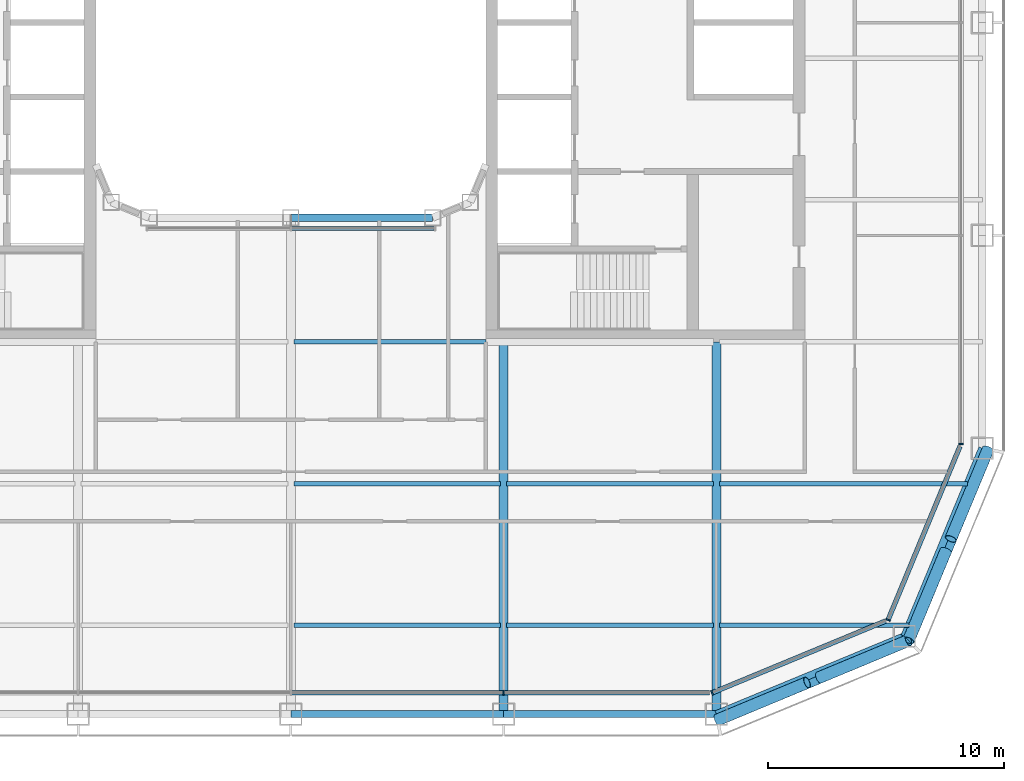
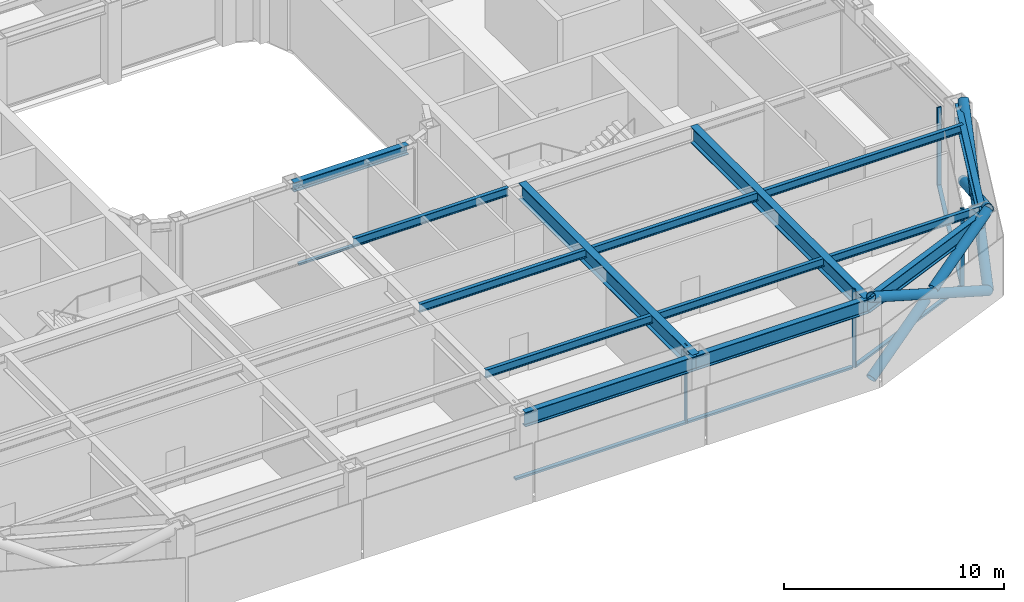
# One storey, part 4 of 21: 15 members, 14 beams, 5 elements without a shape of their own.
"""IFC4 building model written with IfcOpenShell, lengths in metres."""

from ifc_helpers import new_model, si_unit, direction, frame, origin, origin_2d, place, context, subcontext, project, spatial, rectangle, hollow_circle, i_section, extrude, material, layer, layer_set, material_profile, profile_set, type_object, element, aggregate, save


model = new_model("IFC4")

# Units and contexts
model_context = context("Model", 3, precision=1e-05, world=origin(), true_north=direction((0.0, 1.0)))
body_context = subcontext(model_context, "Body", "Model", "MODEL_VIEW")
ifc_project = project(units=[si_unit("LENGTHUNIT", "METRE"), si_unit("AREAUNIT", "SQUARE_METRE"), si_unit("VOLUMEUNIT", "CUBIC_METRE"), si_unit("PLANEANGLEUNIT", "RADIAN"), si_unit("MASSUNIT", "GRAM", prefix="KILO")], contexts=[model_context])

# Site, building, storey
site_placement = place(None, origin())
site = spatial("IfcSite", under=ifc_project, at=site_placement, CompositionType="ELEMENT")
building_placement = place(site_placement, origin())
building = spatial("IfcBuilding", under=site, at=building_placement, Name="Siwar Civic Tower", CompositionType="ELEMENT")
storey_placement = place(building_placement, frame((0.0, 0.0, 140.699951171875)))
storey = spatial("IfcBuildingStorey", under=building, at=storey_placement, Name="L30", CompositionType="ELEMENT", Elevation=140.699951171875)

# Curtain wall, member
ifc_material_1 = material(Name="Aluminium and glass", Category="aluminium")
ifc_layer_1 = layer(ifc_material_1, 0.199951171875)
ifc_layer_set_1 = layer_set([ifc_layer_1], Name="Aluminium and glass")
curtain_wall_type_1 = type_object("IfcCurtainWallType", Name="ENV-CW-B", PredefinedType="NOTDEFINED", material=ifc_layer_set_1)
curtain_wall_1_placement = place(storey_placement, origin())
curtain_wall_1 = element("IfcCurtainWall", 1, at=curtain_wall_1_placement, inside=storey, type_object=curtain_wall_type_1, Name="Curtain wall B S", PredefinedType="NOTDEFINED")
ifc_material_2 = material(Name="Aluminium 6063-T6", Category="aluminium")
ifc_material_profile_1 = material_profile(ifc_material_2, rectangle(XDim=0.199951171875, YDim=0.06494140625, at=origin_2d()), Name="AL 200x65")
ifc_profile_set_1 = profile_set([ifc_material_profile_1], Name="Aluminium 6063-T6")
member_type_1 = type_object("IfcMemberType", Name="ENV-MULLION-B", PredefinedType="MULLION", material=ifc_profile_set_1)
member_1_placement = place(storey_placement, frame((9.0, -28.35009765625, 0.0), z_axis=(0.0, 0.0, 1.0), x_axis=(0.0, 1.0, 0.0)))
member_1 = element("IfcMember", 2, at=member_1_placement, type_object=member_type_1, Name="Mullion B S 4", PredefinedType="MULLION", context=body_context, shape_type="SweptSolid", body=[
    extrude(rectangle(XDim=0.199951171875, YDim=0.06494140625, at=origin_2d()), origin(), (0.0, 0.0, 1.0), 4.35009765625),
])

ifc_material_3 = material(Name="Aluminium clad insulated panel", Category="aluminium")
ifc_layer_2 = layer(ifc_material_3, 0.199951171875)
ifc_layer_set_2 = layer_set([ifc_layer_2], Name="Aluminium clad insulated panel")
curtain_wall_type_2 = type_object("IfcCurtainWallType", Name="ENV-CW-BX", PredefinedType="NOTDEFINED", material=ifc_layer_set_2)
curtain_wall_2_placement = place(storey_placement, origin())
curtain_wall_2 = element("IfcCurtainWall", 3, at=curtain_wall_2_placement, inside=storey, type_object=curtain_wall_type_2, Name="Curtain wall B SE1", PredefinedType="NOTDEFINED")
member_2_placement = place(storey_placement, frame((17.821044921875, -28.35009765625, 0.0), z_axis=(0.0, 0.0, 1.0), x_axis=(-0.382683432365, 0.923879532511, 0.0)))
member_2 = element("IfcMember", 4, at=member_2_placement, type_object=member_type_1, Name="Mullion B SE1 1", PredefinedType="MULLION", context=body_context, shape_type="SweptSolid", body=[
    extrude(rectangle(XDim=0.199951171875, YDim=0.06494140625, at=origin_2d()), origin(), (0.0, 0.0, 1.0), 4.35009765625),
])

curtain_wall_3_placement = place(storey_placement, origin())
curtain_wall_3 = element("IfcCurtainWall", 5, at=curtain_wall_3_placement, inside=storey, type_object=curtain_wall_type_2, Name="Curtain wall B SE2", PredefinedType="NOTDEFINED")
member_3_placement = place(storey_placement, frame((25.26611328125, -25.26611328125, 0.0), z_axis=(0.0, 0.0, 1.0), x_axis=(-0.923879532511, 0.382683432365, 0.0)))
member_3 = element("IfcMember", 6, at=member_3_placement, type_object=member_type_1, Name="Mullion B SE2 1", PredefinedType="MULLION", context=body_context, shape_type="SweptSolid", body=[
    extrude(rectangle(XDim=0.199951171875, YDim=0.06494140625, at=origin_2d()), origin(), (0.0, 0.0, 1.0), 4.35009765625),
])

curtain_wall_4_placement = place(storey_placement, origin())
curtain_wall_4 = element("IfcCurtainWall", 7, at=curtain_wall_4_placement, inside=storey, type_object=curtain_wall_type_1, Name="Curtain wall B E", PredefinedType="NOTDEFINED")
member_4_placement = place(storey_placement, frame((28.35009765625, -17.821044921875, 0.0), z_axis=(0.0, 0.0, 1.0), x_axis=(-1.0, 0.0, 0.0)))
member_4 = element("IfcMember", 8, at=member_4_placement, type_object=member_type_1, Name="Mullion B E 1", PredefinedType="MULLION", context=body_context, shape_type="SweptSolid", body=[
    extrude(rectangle(XDim=0.199951171875, YDim=0.06494140625, at=origin_2d()), origin(), (0.0, 0.0, 1.0), 4.35009765625),
])
aggregate(curtain_wall_4, [member_4])

# Member
ifc_material_4 = material(Name="Aluminium 6063-T6", Category="aluminium")
ifc_material_profile_2 = material_profile(ifc_material_4, rectangle(XDim=0.199951171875, YDim=0.110107421875, at=origin_2d()), Name="AL 200x110")
ifc_profile_set_2 = profile_set([ifc_material_profile_2], Name="Aluminium 6063-T6")
member_type_2 = type_object("IfcMemberType", Name="ENV-TRANSOM-B", PredefinedType="USERDEFINED", material=ifc_profile_set_2)
member_5_placement = place(storey_placement, frame((0.032470703125, -28.35009765625, 0.054931640625), z_axis=(1.0, 0.0, 0.0), x_axis=(0.0, 1.0, 0.0)))
member_5 = element("IfcMember", 9, at=member_5_placement, type_object=member_type_2, Name="Transom B S 3", ObjectType="TRANSOM", PredefinedType="USERDEFINED", context=body_context, shape_type="SweptSolid", body=[
    extrude(rectangle(XDim=0.199951171875, YDim=0.110107421875, at=origin_2d()), origin(), (0.0, 0.0, 1.0), 8.93505859375),
])

member_6_placement = place(storey_placement, frame((9.032470703125, -28.35009765625, 0.054931640625), z_axis=(1.0, 0.0, 0.0), x_axis=(0.0, 1.0, 0.0)))
member_6 = element("IfcMember", 10, at=member_6_placement, type_object=member_type_2, Name="Transom B S 4", ObjectType="TRANSOM", PredefinedType="USERDEFINED", context=body_context, shape_type="SweptSolid", body=[
    extrude(rectangle(XDim=0.199951171875, YDim=0.110107421875, at=origin_2d()), origin(), (0.0, 0.0, 1.0), 8.6748046875),
])

aggregate(curtain_wall_1, [member_1, member_5, member_6])

member_7_placement = place(storey_placement, frame((17.85107421875, -28.337646484375, 0.054931640625), z_axis=(0.92387279587, 0.382699695651, 0.0), x_axis=(-0.382699695651, 0.92387279587, 0.0)))
member_7 = element("IfcMember", 11, at=member_7_placement, type_object=member_type_2, Name="Transom B SE1 1", ObjectType="TRANSOM", PredefinedType="USERDEFINED", context=body_context, shape_type="SweptSolid", body=[
    extrude(rectangle(XDim=0.199951171875, YDim=0.110107421875, at=origin_2d()), origin(), (0.0, 0.0, 1.0), 7.912353515625),
])

aggregate(curtain_wall_2, [member_2, member_7])

member_8_placement = place(storey_placement, frame((25.278564453125, -25.236083984375, 0.054931640625), z_axis=(0.382673358825, 0.923883705044, 0.0), x_axis=(-0.923883705044, 0.382673358825, 0.0)))
member_8 = element("IfcMember", 12, at=member_8_placement, type_object=member_type_2, Name="Transom B SE2 1", ObjectType="TRANSOM", PredefinedType="USERDEFINED", context=body_context, shape_type="SweptSolid", body=[
    extrude(rectangle(XDim=0.199951171875, YDim=0.110107421875, at=origin_2d()), origin(), (0.0, 0.0, 1.0), 7.912353515625),
])

aggregate(curtain_wall_3, [member_3, member_8])

# Curtain wall, member
ifc_material_5 = material(Name="Aluminium and glass", Category="aluminium")
ifc_layer_3 = layer(ifc_material_5, 0.179931640625)
ifc_layer_set_3 = layer_set([ifc_layer_3], Name="Aluminium and glass")
curtain_wall_type_3 = type_object("IfcCurtainWallType", Name="ENV-CW-W", PredefinedType="NOTDEFINED", material=ifc_layer_set_3)
curtain_wall_5_placement = place(storey_placement, origin())
curtain_wall_5 = element("IfcCurtainWall", 13, at=curtain_wall_5_placement, inside=storey, type_object=curtain_wall_type_3, Name="Curtain wall W WS", PredefinedType="NOTDEFINED")
ifc_material_6 = material(Name="Aluminium 6063-T6", Category="aluminium")
ifc_material_profile_3 = material_profile(ifc_material_6, rectangle(XDim=0.179931640625, YDim=0.10009765625, at=origin_2d()), Name="AL 180x100")
ifc_profile_set_3 = profile_set([ifc_material_profile_3], Name="Aluminium 6063-T6")
member_type_3 = type_object("IfcMemberType", Name="ENV-TRANSOM-W", PredefinedType="USERDEFINED", material=ifc_profile_set_3)
member_9_placement = place(storey_placement, frame((0.030029296875, -8.7099609375, 0.050048828125), z_axis=(1.0, 0.0, 0.0), x_axis=(0.0, 1.0, 0.0)))
member_9 = element("IfcMember", 14, at=member_9_placement, type_object=member_type_3, Name="Transom W WS 2", ObjectType="TRANSOM", PredefinedType="USERDEFINED", context=body_context, shape_type="SweptSolid", body=[
    extrude(rectangle(XDim=0.179931640625, YDim=0.10009765625, at=origin_2d()), origin(), (0.0, 0.0, 1.0), 6.031494140625),
])
aggregate(curtain_wall_5, [member_9])

# Members
ifc_material_7 = material(Name="Steel S355", Category="steel")
ifc_material_profile_4 = material_profile(ifc_material_7, hollow_circle(Radius=0.25390625, WallThickness=0.02490234375, at=origin_2d()), Name="CHS508x25")
ifc_profile_set_4 = profile_set([ifc_material_profile_4], Name="Steel S355")
member_type_4 = type_object("IfcMemberType", Name="STR-BR-CHS508x25", PredefinedType="BRACE", material=ifc_profile_set_4)
member_10_placement = place(storey_placement, frame((26.1318359375, -26.1318359375, 0.0), z_axis=(0.341671493852, 0.821142553604, 0.457149315816), x_axis=(-0.923264922524, 0.384163874976, 0.0)))
element("IfcMember", 15, at=member_10_placement, inside=storey, type_object=member_type_4, Name="L30/brc/BSE1-9-0-1", PredefinedType="BRACE", context=body_context, shape_type="SweptSolid", body=[
    extrude(hollow_circle(Radius=0.25390625, WallThickness=0.02490234375, at=origin_2d()), origin(), (0.0, 0.0, 1.0), 9.843505859375),
])
for number, where, z_axis, x_axis, name in (
    (16, (29.4951171875, -18.048828125, 0.0), (-0.341677318012, -0.821126041429, 0.457174621391), (0.923259859753, -0.384176042158, 0.0), "L30/brc/BSE1-9-0-2"),
    (17, (27.70849609375, -22.342529296875, 2.390625), (-0.341670737976, -0.821163134736, 0.457112910516), (0.923268638995, -0.384154943021, 0.0), "L30/brc/BSE1-9-0-3"),
):
    element("IfcMember", number, at=place(storey_placement, frame(where, z_axis=z_axis, x_axis=x_axis)), inside=storey, type_object=member_type_4, Name=name, PredefinedType="BRACE", context=body_context, shape_type="SweptSolid", body=[
        extrude(hollow_circle(Radius=0.25390625, WallThickness=0.02490234375, at=origin_2d()), origin(), (0.0, 0.0, 1.0), 4.614501953125),
    ])
member_11_placement = place(storey_placement, frame((26.1318359375, -26.1318359375, 0.0), z_axis=(-0.821142553604, -0.341671493852, 0.457149315816), x_axis=(0.384163874976, -0.923264922524, 0.0)))
element("IfcMember", 18, at=member_11_placement, inside=storey, type_object=member_type_4, Name="L30/brc/BSE1-9-0-0", PredefinedType="BRACE", context=body_context, shape_type="SweptSolid", body=[
    extrude(hollow_circle(Radius=0.25390625, WallThickness=0.02490234375, at=origin_2d()), origin(), (0.0, 0.0, 1.0), 9.843505859375),
])
for number, where, z_axis, x_axis, name in (
    (19, (18.048828125, -29.4951171875, 0.0), (0.821126041429, 0.341677318012, 0.457174621391), (-0.384176042158, 0.923259859753, 0.0), "L30/brc/BSE1-9-0-4"),
    (20, (22.342529296875, -27.70849609375, 2.390625), (0.821163134736, 0.341670737976, 0.457112910516), (-0.384154943021, 0.923268638995, 0.0), "L30/brc/BSE1-9-0-5"),
):
    element("IfcMember", number, at=place(storey_placement, frame(where, z_axis=z_axis, x_axis=x_axis)), inside=storey, type_object=member_type_4, Name=name, PredefinedType="BRACE", context=body_context, shape_type="SweptSolid", body=[
        extrude(hollow_circle(Radius=0.25390625, WallThickness=0.02490234375, at=origin_2d()), origin(), (0.0, 0.0, 1.0), 4.614501953125),
    ])

# Beams
ifc_material_8 = material(Name="Steel S355", Category="steel")
ifc_material_profile_5 = material_profile(ifc_material_8, i_section(OverallWidth=0.18994140625, OverallDepth=0.449951171875, WebThickness=0.009521484375, FlangeThickness=0.0146484375, FilletRadius=0.02099609375, at=origin_2d()), Name="IPE450")
ifc_profile_set_5 = profile_set([ifc_material_profile_5], Name="Steel S355")
beam_type_1 = type_object("IfcBeamType", Name="STR-FB-IPE450", PredefinedType="JOIST", material=ifc_profile_set_5)
for number, where, z_axis, x_axis, name in (
    (21, (0.1298828125, -25.5, 4.125), (1.0, 0.0, 0.0), (0.0, 1.0, 0.0), "L30/bm/F004"),
    (22, (9.1298828125, -25.5, 4.125), (1.0, 0.0, 0.0), (0.0, 1.0, 0.0), "L30/bm/F005"),
):
    element("IfcBeam", number, at=place(storey_placement, frame(where, z_axis=z_axis, x_axis=x_axis)), inside=storey, type_object=beam_type_1, Name=name, PredefinedType="JOIST", context=body_context, shape_type="SweptSolid", body=[
        extrude(i_section(OverallWidth=0.18994140625, OverallDepth=0.449951171875, WebThickness=0.009521484375, FlangeThickness=0.0146484375, FilletRadius=0.02099609375, at=origin_2d()), origin(), (0.0, 0.0, 1.0), 8.740234375),
    ])
beam_1_placement = place(storey_placement, frame((18.1298828125, -25.5, 4.125), z_axis=(1.0, 0.0, 0.0), x_axis=(0.0, 1.0, 0.0)))
element("IfcBeam", 23, at=beam_1_placement, inside=storey, type_object=beam_type_1, Name="L30/bm/F006", PredefinedType="JOIST", context=body_context, shape_type="SweptSolid", body=[
    extrude(i_section(OverallWidth=0.18994140625, OverallDepth=0.449951171875, WebThickness=0.009521484375, FlangeThickness=0.0146484375, FilletRadius=0.02099609375, at=origin_2d()), origin(), (0.0, 0.0, 1.0), 8.013427734375),
])
for number, where, z_axis, x_axis, name in (
    (24, (0.1298828125, -19.5, 4.125), (1.0, 0.0, 0.0), (0.0, 1.0, 0.0), "L30/bm/F010"),
    (25, (9.1298828125, -19.5, 4.125), (1.0, 0.0, 0.0), (0.0, 1.0, 0.0), "L30/bm/F011"),
):
    element("IfcBeam", number, at=place(storey_placement, frame(where, z_axis=z_axis, x_axis=x_axis)), inside=storey, type_object=beam_type_1, Name=name, PredefinedType="JOIST", context=body_context, shape_type="SweptSolid", body=[
        extrude(i_section(OverallWidth=0.18994140625, OverallDepth=0.449951171875, WebThickness=0.009521484375, FlangeThickness=0.0146484375, FilletRadius=0.02099609375, at=origin_2d()), origin(), (0.0, 0.0, 1.0), 8.740234375),
    ])
beam_2_placement = place(storey_placement, frame((18.1298828125, -19.5, 4.125), z_axis=(1.0, 0.0, 0.0), x_axis=(0.0, 1.0, 0.0)))
element("IfcBeam", 26, at=beam_2_placement, inside=storey, type_object=beam_type_1, Name="L30/bm/F012", PredefinedType="JOIST", context=body_context, shape_type="SweptSolid", body=[
    extrude(i_section(OverallWidth=0.18994140625, OverallDepth=0.449951171875, WebThickness=0.009521484375, FlangeThickness=0.0146484375, FilletRadius=0.02099609375, at=origin_2d()), origin(), (0.0, 0.0, 1.0), 10.498779296875),
])
beam_3_placement = place(storey_placement, frame((0.1298828125, -13.5, 4.125), z_axis=(1.0, 0.0, 0.0), x_axis=(0.0, 1.0, 0.0)))
element("IfcBeam", 27, at=beam_3_placement, inside=storey, type_object=beam_type_1, Name="L30/bm/F017", PredefinedType="JOIST", context=body_context, shape_type="SweptSolid", body=[
    extrude(i_section(OverallWidth=0.18994140625, OverallDepth=0.449951171875, WebThickness=0.009521484375, FlangeThickness=0.0146484375, FilletRadius=0.02099609375, at=origin_2d()), origin(), (0.0, 0.0, 1.0), 8.1201171875),
])
ifc_material_9 = material(Name="Steel S355", Category="steel")
ifc_material_profile_6 = material_profile(ifc_material_9, i_section(OverallWidth=0.3798828125, OverallDepth=0.89990234375, WebThickness=0.01611328125, FlangeThickness=0.035888671875, at=origin_2d()), Name="PG900x380x16x36")
ifc_profile_set_6 = profile_set([ifc_material_profile_6], Name="Steel S355")
beam_type_2 = type_object("IfcBeamType", Name="STR-PG-PG900x380x16x36", PredefinedType="BEAM", material=ifc_profile_set_6)
for number, where, z_axis, x_axis, name in (
    (28, (9.0, -29.25, 3.900146484375), (0.0, 1.0, 0.0), (-1.0, 0.0, 0.0), "L30/bm/G07"),
    (29, (18.0, -29.25, 3.900146484375), (0.0, 1.0, 0.0), (-1.0, 0.0, 0.0), "L30/bm/G09"),
):
    element("IfcBeam", number, at=place(storey_placement, frame(where, z_axis=z_axis, x_axis=x_axis)), inside=storey, type_object=beam_type_2, Name=name, PredefinedType="BEAM", context=body_context, shape_type="SweptSolid", body=[
        extrude(i_section(OverallWidth=0.3798828125, OverallDepth=0.89990234375, WebThickness=0.01611328125, FlangeThickness=0.035888671875, at=origin_2d()), origin(), (0.0, 0.0, 1.0), 15.75),
    ])
ifc_material_10 = material(Name="Steel S355", Category="steel")
ifc_material_profile_7 = material_profile(ifc_material_10, i_section(OverallWidth=0.305908203125, OverallDepth=0.52392578125, WebThickness=0.02099609375, FlangeThickness=0.0400390625, FilletRadius=0.027099609375, at=origin_2d()), Name="HEM500")
ifc_profile_set_7 = profile_set([ifc_material_profile_7], Name="Steel S355")
beam_type_3 = type_object("IfcBeamType", Name="STR-RB-HEM500", PredefinedType="BEAM", material=ifc_profile_set_7)
beam_4_placement = place(storey_placement, frame((0.0, -8.25, 4.088134765625), z_axis=(1.0, 0.0, 0.0), x_axis=(0.0, 1.0, 0.0)))
element("IfcBeam", 30, at=beam_4_placement, inside=storey, type_object=beam_type_3, Name="L30/bm/RS2", PredefinedType="BEAM", context=body_context, shape_type="SweptSolid", body=[
    extrude(i_section(OverallWidth=0.305908203125, OverallDepth=0.52392578125, WebThickness=0.02099609375, FlangeThickness=0.0400390625, FilletRadius=0.027099609375, at=origin_2d()), origin(), (0.0, 0.0, 1.0), 6.0),
])
ifc_material_11 = material(Name="Steel S355", Category="steel")
ifc_material_profile_8 = material_profile(ifc_material_11, i_section(OverallWidth=0.300048828125, OverallDepth=0.800048828125, WebThickness=0.017578125, FlangeThickness=0.032958984375, FilletRadius=0.030029296875, at=origin_2d()), Name="HEB800")
ifc_profile_set_8 = profile_set([ifc_material_profile_8], Name="Steel S355")
beam_type_4 = type_object("IfcBeamType", Name="STR-SB-HEB800", PredefinedType="BEAM", material=ifc_profile_set_8)
for number, where, z_axis, x_axis, name in (
    (31, (0.0, -29.25, 3.949951171875), (1.0, 0.0, 0.0), (0.0, 1.0, 0.0), "L30/bm/SS-2"),
    (32, (9.0, -29.25, 3.949951171875), (1.0, 0.0, 0.0), (0.0, 1.0, 0.0), "L30/bm/SS-3"),
):
    element("IfcBeam", number, at=place(storey_placement, frame(where, z_axis=z_axis, x_axis=x_axis)), inside=storey, type_object=beam_type_4, Name=name, PredefinedType="BEAM", context=body_context, shape_type="SweptSolid", body=[
        extrude(i_section(OverallWidth=0.300048828125, OverallDepth=0.800048828125, WebThickness=0.017578125, FlangeThickness=0.032958984375, FilletRadius=0.030029296875, at=origin_2d()), origin(), (0.0, 0.0, 1.0), 9.0),
    ])
for number, where, z_axis, x_axis, name in (
    (33, (18.0, -29.25, 3.949951171875), (0.923872720536, 0.382699877515, 0.0), (-0.382699877515, 0.923872720536, 0.0), "L30/bm/SSE1-0"),
    (34, (25.954833984375, -25.954833984375, 3.949951171875), (0.382699877515, 0.923872720536, 0.0), (-0.923872720536, 0.382699877515, 0.0), "L30/bm/SSE2-0"),
):
    element("IfcBeam", number, at=place(storey_placement, frame(where, z_axis=z_axis, x_axis=x_axis)), inside=storey, type_object=beam_type_4, Name=name, PredefinedType="BEAM", context=body_context, shape_type="SweptSolid", body=[
        extrude(i_section(OverallWidth=0.300048828125, OverallDepth=0.800048828125, WebThickness=0.017578125, FlangeThickness=0.032958984375, FilletRadius=0.030029296875, at=origin_2d()), origin(), (0.0, 0.0, 1.0), 8.6103515625),
    ])

save(model, "model.ifc")
